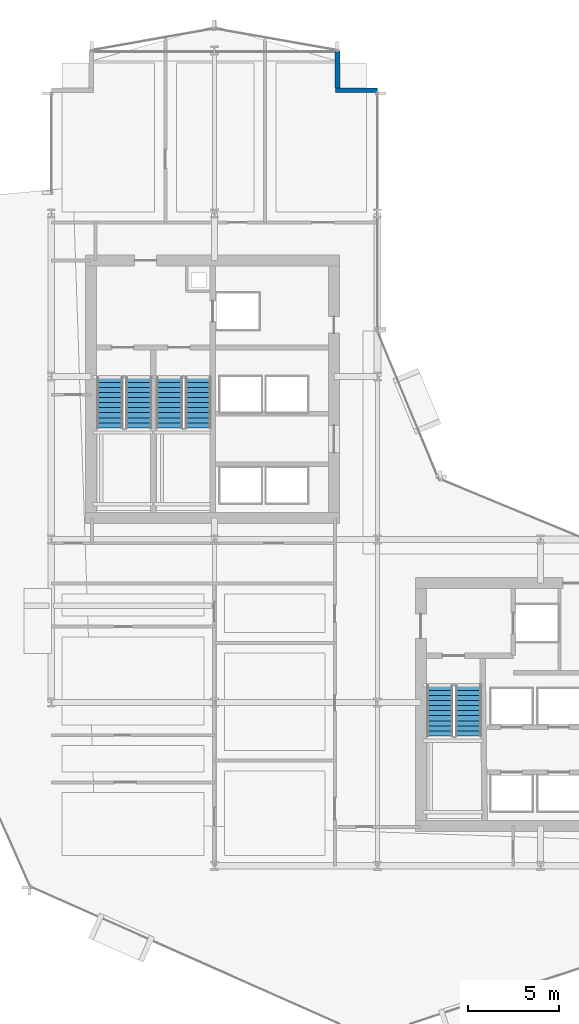
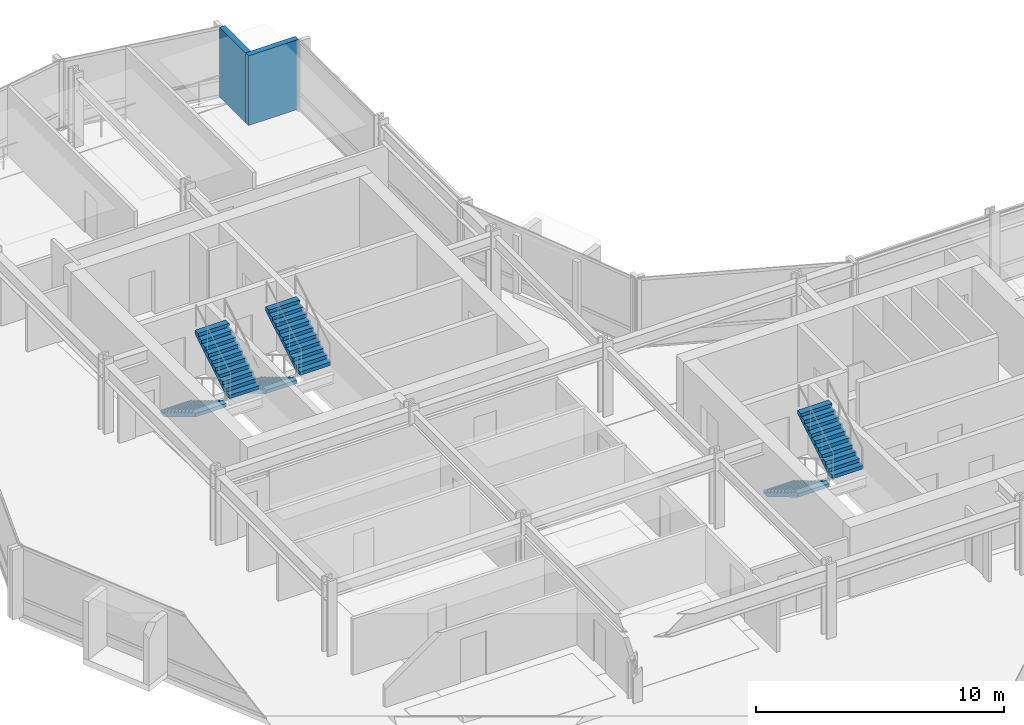
# One storey, part 29 of 34: 6 stair flights, 2 walls, 3 elements without a shape of their own.
"""IFC4 building model written with IfcOpenShell, lengths in metres."""

from ifc_helpers import new_model, si_unit, direction, frame, frame_2d, origin, place, context, subcontext, project, spatial, polyline, rectangle, outline, extrude, material, layer, layer_set, type_object, element, aggregate, save


model = new_model("IFC4")

# Units and contexts
model_context = context("Model", 3, precision=1e-05, world=origin(), true_north=direction((0.0, 1.0)))
body_context = subcontext(model_context, "Body", "Model", "MODEL_VIEW")
ifc_project = project(units=[si_unit("LENGTHUNIT", "METRE"), si_unit("AREAUNIT", "SQUARE_METRE"), si_unit("VOLUMEUNIT", "CUBIC_METRE"), si_unit("PLANEANGLEUNIT", "RADIAN"), si_unit("MASSUNIT", "GRAM", prefix="KILO")], contexts=[model_context])

# Site, building, storey
site_placement = place(None, origin())
site = spatial("IfcSite", under=ifc_project, at=site_placement, CompositionType="ELEMENT")
building_placement = place(site_placement, origin())
building = spatial("IfcBuilding", under=site, at=building_placement, Name="Solvaryn Broadcast Tower", CompositionType="ELEMENT")
storey_placement = place(building_placement, frame((0.0, 0.0, 39.699951171875)))
storey = spatial("IfcBuildingStorey", under=building, at=storey_placement, Name="L08", CompositionType="ELEMENT", Elevation=39.699951171875)

# Walls
ifc_material_1 = material(Name="Concrete f'c 50 MPa", Category="concrete")
ifc_layer_1 = layer(ifc_material_1, 0.260009765625)
ifc_layer_set_1 = layer_set([ifc_layer_1], Name="EW-PIER-260")
wall_type = type_object("IfcWallType", Name="EW-PIER-260", PredefinedType="SOLIDWALL", material=ifc_layer_set_1)
wall_1_placement = place(storey_placement, frame((24.800048828125, 54.0, 0.0), z_axis=(0.0, 0.0, 1.0), x_axis=(0.0, -1.0, 0.0)))
element("IfcWall", 1, at=wall_1_placement, inside=storey, type_object=wall_type, Name="L08 Notched Corner Pier Wall NNE1", PredefinedType="SOLIDWALL", context=body_context, shape_type="SweptSolid", body=[
    extrude(rectangle(XDim=2.080078125, YDim=0.260009765625, at=frame_2d((1.0400390625, 0.0))), origin(), (0.0, 0.0, 1.0), 3.420166015625),
])
wall_2_placement = place(storey_placement, frame((24.679931640625, 51.800048828125, 0.0), z_axis=(0.0, 0.0, 1.0), x_axis=(1.0, 0.0, 0.0)))
element("IfcWall", 2, at=wall_2_placement, inside=storey, type_object=wall_type, Name="L08 Notched Corner Pier Wall NNE2", PredefinedType="SOLIDWALL", context=body_context, shape_type="SweptSolid", body=[
    extrude(rectangle(XDim=2.320068359375, YDim=0.260009765625, at=frame_2d((1.16015625, 0.0))), origin(), (0.0, 0.0, 1.0), 3.420166015625),
])

# Stair, stair flights
ifc_material_2 = material(Name="Concrete f'c 60 MPa", Category="concrete")
stair_type = type_object("IfcStairType", Name="ST-CORE", PredefinedType="HALF_TURN_STAIR", material=ifc_material_2)
stair_1_placement = place(storey_placement, origin())
stair_1 = element("IfcStair", 3, at=stair_1_placement, inside=storey, type_object=stair_type, Name="L08 ST1", PredefinedType="HALF_TURN_STAIR")
ifc_material_3 = material(Name="Concrete f'c 60 MPa", Category="concrete")
ifc_layer_2 = layer(ifc_material_3, 0.159912109375)
ifc_layer_set_2 = layer_set([ifc_layer_2], Name="SF-CORE")
stair_flight_type = type_object("IfcStairFlightType", Name="SF-CORE", PredefinedType="STRAIGHT", material=ifc_layer_set_2)
stair_flight_1_placement = place(storey_placement, frame((12.239990234375, 35.9599609375, 0.0), z_axis=(0.0, 0.0, 1.0), x_axis=(0.0, -1.0, 0.0)))
stair_flight_1 = element("IfcStairFlight", 4, at=stair_flight_1_placement, type_object=stair_flight_type, Name="ST1 flight 1", NumberOfRisers=11, NumberOfTreads=10, PredefinedType="STRAIGHT", RiserHeight=0.168181818, TreadLength=0.28, context=body_context, shape_type="SweptSolid", body=[
    extrude(outline(polyline([(0.0, 0.0), (0.0, 0.168212890625), (0.280029296875, 0.168212890625), (0.280029296875, 0.33642578125), (0.56005859375, 0.33642578125), (0.56005859375, 0.504638671875), (0.840087890625, 0.504638671875), (0.840087890625, 0.672607421875), (1.1201171875, 0.672607421875), (1.1201171875, 0.8408203125), (1.39990234375, 0.8408203125), (1.39990234375, 1.009033203125), (1.679931640625, 1.009033203125), (1.679931640625, 1.17724609375), (1.9599609375, 1.17724609375), (1.9599609375, 1.345458984375), (2.239990234375, 1.345458984375), (2.239990234375, 1.513671875), (2.52001953125, 1.513671875), (2.52001953125, 1.681884765625), (2.800048828125, 1.681884765625), (2.800048828125, 1.85009765625), (2.800048828125, 1.5068359375), (0.291015625, 0.0), (0.0, 0.0)])), frame((0.0, 0.719970703125, 0.0), z_axis=(0.0, -1.0, 0.0), x_axis=(1.0, 0.0, 0.0)), (0.0, 0.0, 1.0), 1.43994140625),
])
stair_flight_2_placement = place(storey_placement, frame((13.830078125, 33.159912109375, 1.85009765625), z_axis=(0.0, 0.0, 1.0), x_axis=(0.0, 1.0, 0.0)))
stair_flight_2 = element("IfcStairFlight", 5, at=stair_flight_2_placement, type_object=stair_flight_type, Name="ST1 flight 2", NumberOfRisers=11, NumberOfTreads=10, PredefinedType="STRAIGHT", RiserHeight=0.168181818, TreadLength=0.28, context=body_context, shape_type="SweptSolid", body=[
    extrude(outline(polyline([(0.0, 0.0), (0.0, 0.168212890625), (0.280029296875, 0.168212890625), (0.280029296875, 0.33642578125), (0.56005859375, 0.33642578125), (0.56005859375, 0.504638671875), (0.840087890625, 0.504638671875), (0.840087890625, 0.672607421875), (1.1201171875, 0.672607421875), (1.1201171875, 0.8408203125), (1.39990234375, 0.8408203125), (1.39990234375, 1.009033203125), (1.679931640625, 1.009033203125), (1.679931640625, 1.17724609375), (1.9599609375, 1.17724609375), (1.9599609375, 1.345458984375), (2.239990234375, 1.345458984375), (2.239990234375, 1.513671875), (2.52001953125, 1.513671875), (2.52001953125, 1.681884765625), (2.800048828125, 1.681884765625), (2.800048828125, 1.85009765625), (2.800048828125, 1.5068359375), (0.291015625, 0.0), (0.0, 0.0)])), frame((0.0, 0.719970703125, 0.0), z_axis=(0.0, -1.0, 0.0), x_axis=(1.0, 0.0, 0.0)), (0.0, 0.0, 1.0), 1.43994140625),
])
aggregate(stair_1, [stair_flight_1, stair_flight_2])

stair_2_placement = place(storey_placement, origin())
stair_2 = element("IfcStair", 6, at=stair_2_placement, inside=storey, type_object=stair_type, Name="L08 ST2", PredefinedType="HALF_TURN_STAIR")
stair_flight_3_placement = place(storey_placement, frame((15.52001953125, 35.9599609375, 0.0), z_axis=(0.0, 0.0, 1.0), x_axis=(0.0, -1.0, 0.0)))
stair_flight_3 = element("IfcStairFlight", 7, at=stair_flight_3_placement, type_object=stair_flight_type, Name="ST2 flight 1", NumberOfRisers=11, NumberOfTreads=10, PredefinedType="STRAIGHT", RiserHeight=0.168181818, TreadLength=0.28, context=body_context, shape_type="SweptSolid", body=[
    extrude(outline(polyline([(0.0, 0.0), (0.0, 0.168212890625), (0.280029296875, 0.168212890625), (0.280029296875, 0.33642578125), (0.56005859375, 0.33642578125), (0.56005859375, 0.504638671875), (0.840087890625, 0.504638671875), (0.840087890625, 0.672607421875), (1.1201171875, 0.672607421875), (1.1201171875, 0.8408203125), (1.39990234375, 0.8408203125), (1.39990234375, 1.009033203125), (1.679931640625, 1.009033203125), (1.679931640625, 1.17724609375), (1.9599609375, 1.17724609375), (1.9599609375, 1.345458984375), (2.239990234375, 1.345458984375), (2.239990234375, 1.513671875), (2.52001953125, 1.513671875), (2.52001953125, 1.681884765625), (2.800048828125, 1.681884765625), (2.800048828125, 1.85009765625), (2.800048828125, 1.5068359375), (0.291015625, 0.0), (0.0, 0.0)])), frame((0.0, 0.719970703125, 0.0), z_axis=(0.0, -1.0, 0.0), x_axis=(1.0, 0.0, 0.0)), (0.0, 0.0, 1.0), 1.43994140625),
])
stair_flight_4_placement = place(storey_placement, frame((17.110107421875, 33.159912109375, 1.85009765625), z_axis=(0.0, 0.0, 1.0), x_axis=(0.0, 1.0, 0.0)))
stair_flight_4 = element("IfcStairFlight", 8, at=stair_flight_4_placement, type_object=stair_flight_type, Name="ST2 flight 2", NumberOfRisers=11, NumberOfTreads=10, PredefinedType="STRAIGHT", RiserHeight=0.168181818, TreadLength=0.28, context=body_context, shape_type="SweptSolid", body=[
    extrude(outline(polyline([(0.0, 0.0), (0.0, 0.168212890625), (0.280029296875, 0.168212890625), (0.280029296875, 0.33642578125), (0.56005859375, 0.33642578125), (0.56005859375, 0.504638671875), (0.840087890625, 0.504638671875), (0.840087890625, 0.672607421875), (1.1201171875, 0.672607421875), (1.1201171875, 0.8408203125), (1.39990234375, 0.8408203125), (1.39990234375, 1.009033203125), (1.679931640625, 1.009033203125), (1.679931640625, 1.17724609375), (1.9599609375, 1.17724609375), (1.9599609375, 1.345458984375), (2.239990234375, 1.345458984375), (2.239990234375, 1.513671875), (2.52001953125, 1.513671875), (2.52001953125, 1.681884765625), (2.800048828125, 1.681884765625), (2.800048828125, 1.85009765625), (2.800048828125, 1.5068359375), (0.291015625, 0.0), (0.0, 0.0)])), frame((0.0, 0.719970703125, 0.0), z_axis=(0.0, -1.0, 0.0), x_axis=(1.0, 0.0, 0.0)), (0.0, 0.0, 1.0), 1.43994140625),
])
aggregate(stair_2, [stair_flight_3, stair_flight_4])

stair_3_placement = place(storey_placement, origin())
stair_3 = element("IfcStair", 9, at=stair_3_placement, inside=storey, type_object=stair_type, Name="L08 ST3", PredefinedType="HALF_TURN_STAIR")
stair_flight_5_placement = place(storey_placement, frame((30.43994140625, 18.9599609375, 0.0), z_axis=(0.0, 0.0, 1.0), x_axis=(0.0, -1.0, 0.0)))
stair_flight_5 = element("IfcStairFlight", 10, at=stair_flight_5_placement, type_object=stair_flight_type, Name="ST3 flight 1", NumberOfRisers=11, NumberOfTreads=10, PredefinedType="STRAIGHT", RiserHeight=0.168181818, TreadLength=0.28, context=body_context, shape_type="SweptSolid", body=[
    extrude(outline(polyline([(0.0, 0.0), (0.0, 0.168212890625), (0.280029296875, 0.168212890625), (0.280029296875, 0.33642578125), (0.56005859375, 0.33642578125), (0.56005859375, 0.504638671875), (0.840087890625, 0.504638671875), (0.840087890625, 0.672607421875), (1.1201171875, 0.672607421875), (1.1201171875, 0.8408203125), (1.39990234375, 0.8408203125), (1.39990234375, 1.009033203125), (1.679931640625, 1.009033203125), (1.679931640625, 1.17724609375), (1.9599609375, 1.17724609375), (1.9599609375, 1.345458984375), (2.239990234375, 1.345458984375), (2.239990234375, 1.513671875), (2.52001953125, 1.513671875), (2.52001953125, 1.681884765625), (2.800048828125, 1.681884765625), (2.800048828125, 1.85009765625), (2.800048828125, 1.5068359375), (0.291015625, 0.0), (0.0, 0.0)])), frame((0.0, 0.719970703125, 0.0), z_axis=(0.0, -1.0, 0.0), x_axis=(1.0, 0.0, 0.0)), (0.0, 0.0, 1.0), 1.43994140625),
])
stair_flight_6_placement = place(storey_placement, frame((32.030029296875, 16.159912109375, 1.85009765625), z_axis=(0.0, 0.0, 1.0), x_axis=(0.0, 1.0, 0.0)))
stair_flight_6 = element("IfcStairFlight", 11, at=stair_flight_6_placement, type_object=stair_flight_type, Name="ST3 flight 2", NumberOfRisers=11, NumberOfTreads=10, PredefinedType="STRAIGHT", RiserHeight=0.168181818, TreadLength=0.28, context=body_context, shape_type="SweptSolid", body=[
    extrude(outline(polyline([(0.0, 0.0), (0.0, 0.168212890625), (0.280029296875, 0.168212890625), (0.280029296875, 0.33642578125), (0.56005859375, 0.33642578125), (0.56005859375, 0.504638671875), (0.840087890625, 0.504638671875), (0.840087890625, 0.672607421875), (1.1201171875, 0.672607421875), (1.1201171875, 0.8408203125), (1.39990234375, 0.8408203125), (1.39990234375, 1.009033203125), (1.679931640625, 1.009033203125), (1.679931640625, 1.17724609375), (1.9599609375, 1.17724609375), (1.9599609375, 1.345458984375), (2.239990234375, 1.345458984375), (2.239990234375, 1.513671875), (2.52001953125, 1.513671875), (2.52001953125, 1.681884765625), (2.800048828125, 1.681884765625), (2.800048828125, 1.85009765625), (2.800048828125, 1.5068359375), (0.291015625, 0.0), (0.0, 0.0)])), frame((0.0, 0.719970703125, 0.0), z_axis=(0.0, -1.0, 0.0), x_axis=(1.0, 0.0, 0.0)), (0.0, 0.0, 1.0), 1.43994140625),
])
aggregate(stair_3, [stair_flight_5, stair_flight_6])

save(model, "model.ifc")
